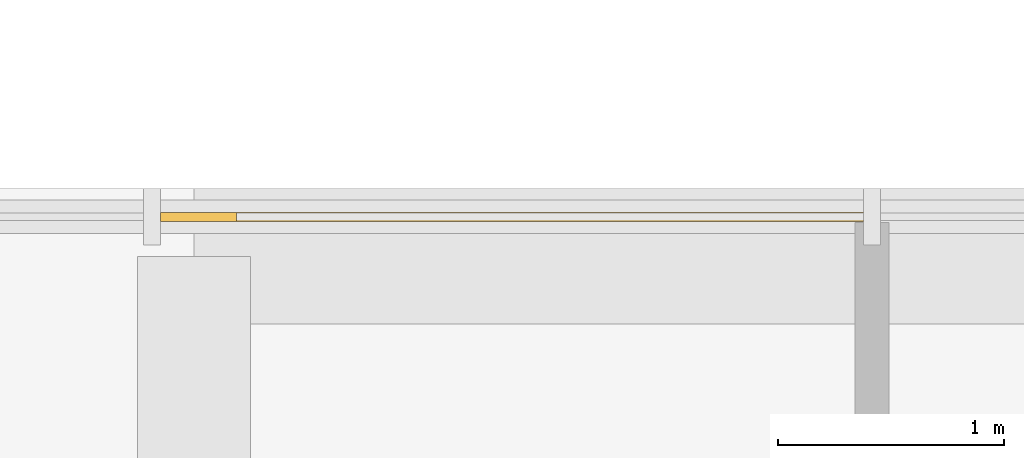
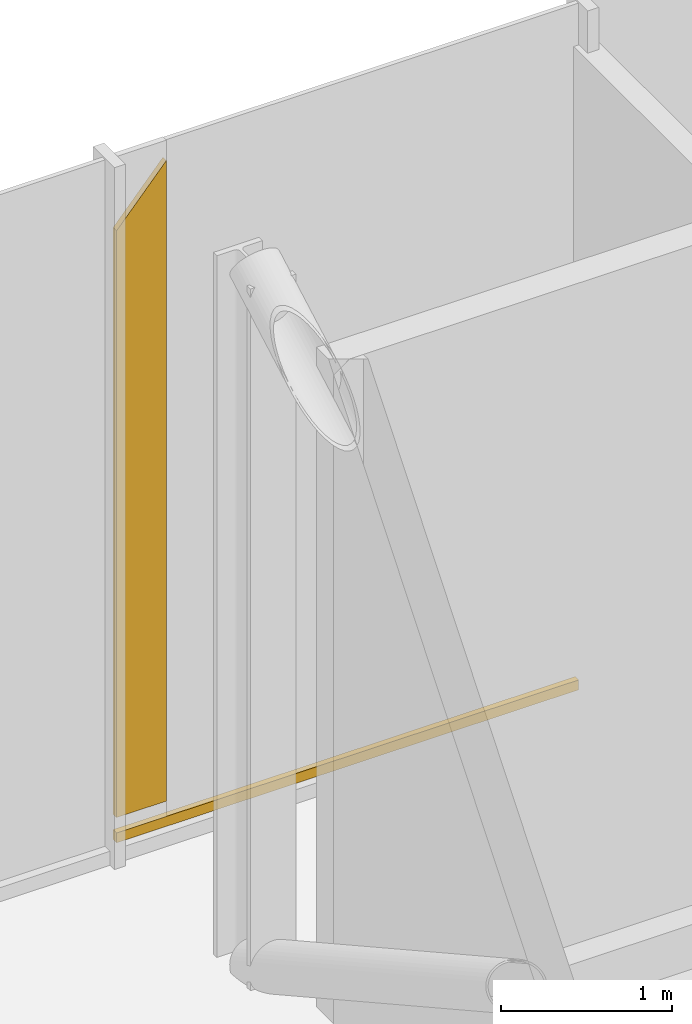
# One storey, part 25 of 28: 2 coverings.
"""IFC4 building model written with IfcOpenShell, lengths in metres."""

from ifc_helpers import new_model, si_unit, direction, frame, origin, place, context, subcontext, project, spatial, polyline, outline, extrude, material, layer, layer_set, type_object, element, save


model = new_model("IFC4")

# Units and contexts
model_context = context("Model", 3, precision=1e-05, world=origin(), true_north=direction((0.0, 1.0)))
body_context = subcontext(model_context, "Body", "Model", "MODEL_VIEW")
ifc_project = project(units=[si_unit("LENGTHUNIT", "METRE"), si_unit("AREAUNIT", "SQUARE_METRE"), si_unit("VOLUMEUNIT", "CUBIC_METRE"), si_unit("PLANEANGLEUNIT", "RADIAN"), si_unit("MASSUNIT", "GRAM", prefix="KILO")], contexts=[model_context])

# Site, building, storey
site_placement = place(None, origin())
site = spatial("IfcSite", under=ifc_project, at=site_placement, CompositionType="ELEMENT")
building_placement = place(site_placement, origin())
building = spatial("IfcBuilding", under=site, at=building_placement, Name="Malebo Sky Hospital", CompositionType="ELEMENT")
storey_placement = place(building_placement, frame((0.0, 0.0, 21.0)))
storey = spatial("IfcBuildingStorey", under=building, at=storey_placement, Name="L04", CompositionType="ELEMENT", Elevation=21.0)

# Coverings
ifc_material = material(Name="Anodised aluminium, natural silver insulated infill panel", Category="aluminium")
ifc_layer = layer(ifc_material, 0.0400390625)
ifc_layer_set = layer_set([ifc_layer], Name="BRACE INFILL PANEL 40")
covering_type = type_object("IfcCoveringType", Name="BRACE INFILL PANEL 40", PredefinedType="CLADDING", material=ifc_layer_set)
covering_1_placement = place(storey_placement, frame((15.51953125, 85.875, 0.2802734375), z_axis=(0.0, 0.0, 1.0), x_axis=(-1.0, 0.0, 0.0)))
element("IfcCovering", 1, at=covering_1_placement, inside=storey, type_object=covering_type, Name="Brace infill panel 6.1", PredefinedType="CLADDING", context=body_context, shape_type="SweptSolid", body=[
    extrude(outline(polyline([(-0.167724609375, 0.0), (0.16796875, 0.0), (0.16796875, 4.18017578125), (-0.167724609375, 4.56396484375), (-0.167724609375, 0.0)])), frame((0.0, 0.02001953125, 0.0), z_axis=(0.0, -1.0, 0.0), x_axis=(1.0, 0.0, 0.0)), (0.0, 0.0, 1.0), 0.0400390625),
])
covering_2_placement = place(storey_placement, frame((16.908935546875, 85.875, 0.10009765625), z_axis=(0.0, 0.0, 1.0), x_axis=(-1.0, 0.0, 0.0)))
element("IfcCovering", 2, at=covering_2_placement, inside=storey, type_object=covering_type, Name="Brace infill panel 6.2", PredefinedType="CLADDING", context=body_context, shape_type="SweptSolid", body=[
    extrude(outline(polyline([(-1.55712890625, 0.0), (1.55712890625, 0.0), (1.55712890625, 0.0703125), (-1.55712890625, 0.0703125), (-1.55712890625, 0.0)])), frame((0.0, 0.02001953125, 0.0), z_axis=(0.0, -1.0, 0.0), x_axis=(1.0, 0.0, 0.0)), (0.0, 0.0, 1.0), 0.0400390625),
])

save(model, "model.ifc")
